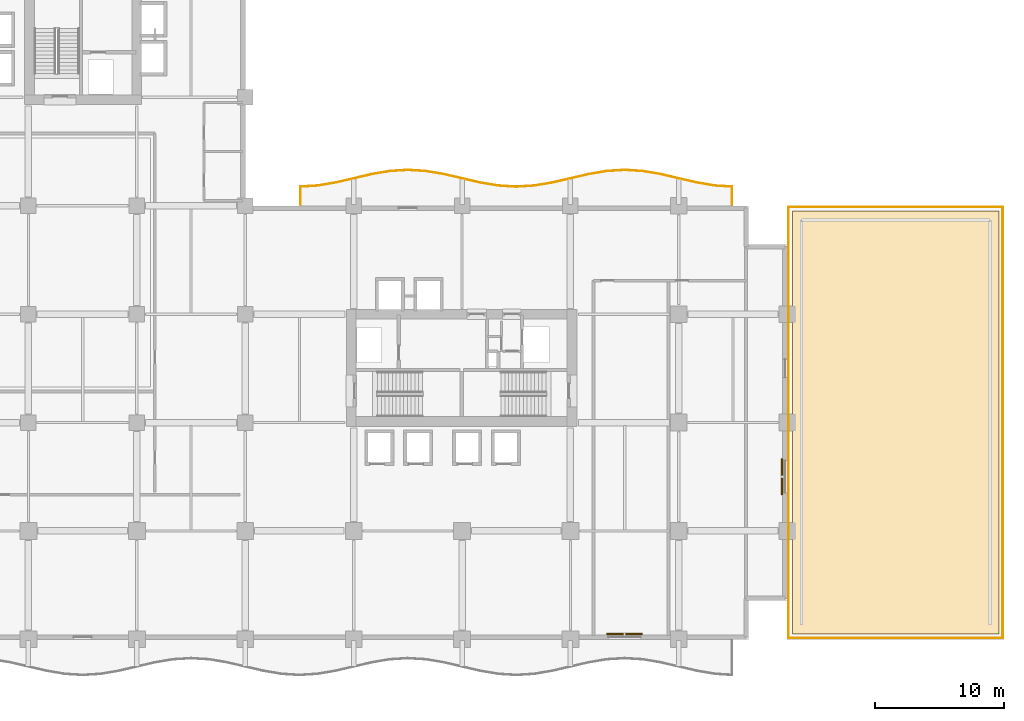
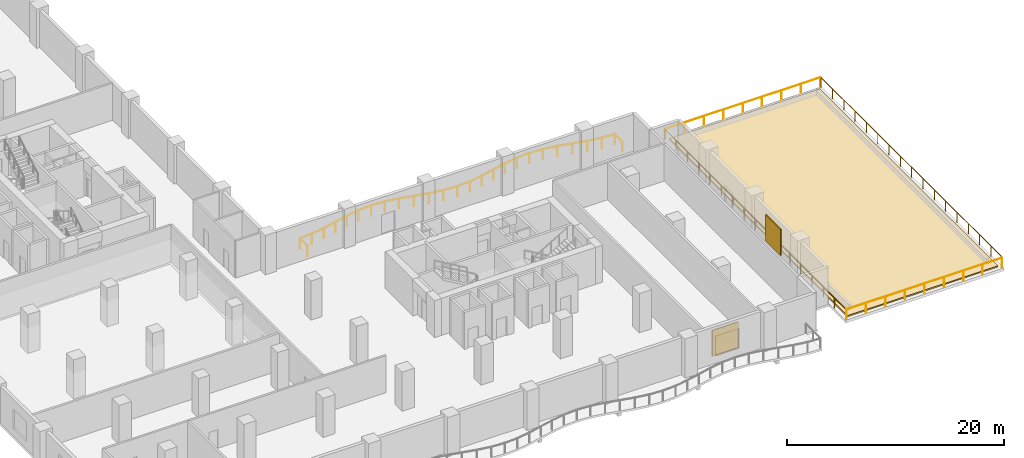
# One storey, part 20 of 21: 5 railings, 2 shading devices, 1 covering.
"""IFC4 building model written with IfcOpenShell, lengths in metres."""

from ifc_helpers import new_model, si_unit, direction, frame, origin, origin_2d, place, context, subcontext, project, spatial, polyline, rectangle, circle, outline, extrude, material, layer, layer_set, type_object, element, save


model = new_model("IFC4")

# Units and contexts
model_context = context("Model", 3, precision=1e-05, world=origin(), true_north=direction((0.0, 1.0)))
body_context = subcontext(model_context, "Body", "Model", "MODEL_VIEW")
ifc_project = project(units=[si_unit("LENGTHUNIT", "METRE"), si_unit("AREAUNIT", "SQUARE_METRE"), si_unit("VOLUMEUNIT", "CUBIC_METRE"), si_unit("PLANEANGLEUNIT", "RADIAN"), si_unit("MASSUNIT", "GRAM", prefix="KILO")], contexts=[model_context])

# Site, building, storey
site_placement = place(None, origin())
site = spatial("IfcSite", under=ifc_project, at=site_placement, CompositionType="ELEMENT")
building_placement = place(site_placement, origin())
building = spatial("IfcBuilding", under=site, at=building_placement, Name="Koriwani Terraces Tower", CompositionType="ELEMENT")
storey_placement = place(building_placement, frame((0.0, 0.0, 85.199951171875)))
storey = spatial("IfcBuildingStorey", under=building, at=storey_placement, Name="L20", CompositionType="ELEMENT", Elevation=85.199951171875)

# Railings
ifc_material_1 = material(Name="Steel ASTM A572 Grade 50", Category="steel")
railing_type = type_object("IfcRailingType", Name="GUARD_BALUSTRADE_1150", PredefinedType="BALUSTRADE", material=ifc_material_1)
railing_1_placement = place(storey_placement, frame((71.320068359375, 33.679931640625, 0.0)))
element("IfcRailing", 1, at=railing_1_placement, inside=storey, type_object=railing_type, Name="L20 Balcony Perimeter Safety Balustrade (NE)", PredefinedType="BALUSTRADE", context=body_context, shape_type="SweptSolid", body=[
    extrude(circle(Radius=0.02392578125, at=origin_2d()), frame((0.0, 0.0, 1.1259765625), z_axis=(0.0, 1.0, 0.0), x_axis=(-1.0, 0.0, 0.0)), (0.0, 0.0, 1.0), 1.394775390625),
    extrude(circle(Radius=0.02392578125, at=origin_2d()), frame((0.0, 1.394775390625, 1.1259765625), z_axis=(-0.998056142956, 0.062321228394, 0.0), x_axis=(-0.062321228394, -0.998056142956, 0.0)), (0.0, 0.0, 1.0), 1.33203125),
    extrude(circle(Radius=0.02392578125, at=origin_2d()), frame((-1.329345703125, 1.477783203125, 1.1259765625), z_axis=(-0.985894557597, 0.167367623213, 0.0), x_axis=(-0.167367623213, -0.985894557597, 0.0)), (0.0, 0.0, 1.0), 1.426513671875),
    extrude(circle(Radius=0.02392578125, at=origin_2d()), frame((-2.73583984375, 1.716552734375, 1.1259765625), z_axis=(-0.974105551615, 0.226093729043, 0.0), x_axis=(-0.226093729043, -0.974105551615, 0.0)), (0.0, 0.0, 1.0), 2.87451171875),
    extrude(circle(Radius=0.02392578125, at=origin_2d()), frame((-5.535888671875, 2.366455078125, 1.1259765625), z_axis=(-0.985861269125, 0.167563594016, 0.0), x_axis=(-0.167563594016, -0.985861269125, 0.0)), (0.0, 0.0, 1.0), 1.413330078125),
    extrude(circle(Radius=0.02392578125, at=origin_2d()), frame((-6.92919921875, 2.603271484375, 1.1259765625), z_axis=(-0.998064149781, 0.062192868733, 0.0), x_axis=(-0.062192868733, -0.998064149781, 0.0)), (0.0, 0.0, 1.0), 1.3935546875),
    extrude(circle(Radius=0.02392578125, at=origin_2d()), frame((-8.320068359375, 2.68994140625, 1.1259765625), z_axis=(-0.998064149781, -0.062192868733, 0.0), x_axis=(0.062192868733, -0.998064149781, 0.0)), (0.0, 0.0, 1.0), 1.3935546875),
    extrude(circle(Radius=0.02392578125, at=origin_2d()), frame((-9.7109375, 2.603271484375, 1.1259765625), z_axis=(-0.985861269125, -0.167563594016, 0.0), x_axis=(0.167563594016, -0.985861269125, 0.0)), (0.0, 0.0, 1.0), 1.413330078125),
    extrude(circle(Radius=0.02392578125, at=origin_2d()), frame((-11.104248046875, 2.366455078125, 1.1259765625), z_axis=(-0.974105551615, -0.226093729043, 0.0), x_axis=(0.226093729043, -0.974105551615, 0.0)), (0.0, 0.0, 1.0), 2.87451171875),
    extrude(circle(Radius=0.02392578125, at=origin_2d()), frame((-13.904296875, 1.716552734375, 1.1259765625), z_axis=(-0.985894557597, -0.167367623213, 0.0), x_axis=(0.167367623213, -0.985894557597, 0.0)), (0.0, 0.0, 1.0), 1.426513671875),
    extrude(circle(Radius=0.02392578125, at=origin_2d()), frame((-15.310791015625, 1.477783203125, 1.1259765625), z_axis=(-0.9980820707, -0.061904605217, 0.0), x_axis=(0.061904605217, -0.9980820707, 0.0)), (0.0, 0.0, 1.0), 1.411865234375),
    extrude(circle(Radius=0.02392578125, at=origin_2d()), frame((-16.719970703125, 1.390380859375, 1.1259765625), z_axis=(-0.9980820707, 0.061904605217, 0.0), x_axis=(-0.061904605217, -0.9980820707, 0.0)), (0.0, 0.0, 1.0), 1.411865234375),
    extrude(circle(Radius=0.02392578125, at=origin_2d()), frame((-18.129150390625, 1.477783203125, 1.1259765625), z_axis=(-0.985899350136, 0.16733938987, 0.0), x_axis=(-0.16733938987, -0.985899350136, 0.0)), (0.0, 0.0, 1.0), 1.4267578125),
    extrude(circle(Radius=0.02392578125, at=origin_2d()), frame((-19.535888671875, 1.716552734375, 1.1259765625), z_axis=(-0.974105551615, 0.226093729043, 0.0), x_axis=(-0.226093729043, -0.974105551615, 0.0)), (0.0, 0.0, 1.0), 2.87451171875),
    extrude(circle(Radius=0.02392578125, at=origin_2d()), frame((-22.3359375, 2.366455078125, 1.1259765625), z_axis=(-0.985861269125, 0.167563594016, 0.0), x_axis=(-0.167563594016, -0.985861269125, 0.0)), (0.0, 0.0, 1.0), 1.413330078125),
    extrude(circle(Radius=0.02392578125, at=origin_2d()), frame((-23.729248046875, 2.603271484375, 1.1259765625), z_axis=(-0.998064149781, 0.062192868733, 0.0), x_axis=(-0.062192868733, -0.998064149781, 0.0)), (0.0, 0.0, 1.0), 1.3935546875),
    extrude(circle(Radius=0.02392578125, at=origin_2d()), frame((-25.1201171875, 2.68994140625, 1.1259765625), z_axis=(-0.998064149781, -0.062192868733, 0.0), x_axis=(0.062192868733, -0.998064149781, 0.0)), (0.0, 0.0, 1.0), 1.3935546875),
    extrude(circle(Radius=0.02392578125, at=origin_2d()), frame((-26.510986328125, 2.603271484375, 1.1259765625), z_axis=(-0.985861269125, -0.167563594016, 0.0), x_axis=(0.167563594016, -0.985861269125, 0.0)), (0.0, 0.0, 1.0), 1.413330078125),
    extrude(circle(Radius=0.02392578125, at=origin_2d()), frame((-27.904296875, 2.366455078125, 1.1259765625), z_axis=(-0.974105551615, -0.226093729043, 0.0), x_axis=(0.226093729043, -0.974105551615, 0.0)), (0.0, 0.0, 1.0), 2.87451171875),
    extrude(circle(Radius=0.02392578125, at=origin_2d()), frame((-30.704345703125, 1.716552734375, 1.1259765625), z_axis=(-0.985894557597, -0.167367623213, 0.0), x_axis=(0.167367623213, -0.985894557597, 0.0)), (0.0, 0.0, 1.0), 1.426513671875),
    extrude(circle(Radius=0.02392578125, at=origin_2d()), frame((-32.11083984375, 1.477783203125, 1.1259765625), z_axis=(-0.998056142956, -0.062321228394, 0.0), x_axis=(0.062321228394, -0.998056142956, 0.0)), (0.0, 0.0, 1.0), 1.33203125),
    extrude(circle(Radius=0.02392578125, at=origin_2d()), frame((-33.440185546875, 1.394775390625, 1.1259765625), z_axis=(0.0, -1.0, 0.0), x_axis=(1.0, 0.0, 0.0)), (0.0, 0.0, 1.0), 1.394775390625),
    extrude(circle(Radius=0.02099609375, at=origin_2d()), origin(), (0.0, 0.0, 1.0), 1.101806640625),
    extrude(circle(Radius=0.02099609375, at=origin_2d()), frame((0.0, 1.394775390625, 0.0)), (0.0, 0.0, 1.0), 1.101806640625),
    extrude(circle(Radius=0.02099609375, at=origin_2d()), frame((-1.329345703125, 1.477783203125, 0.0)), (0.0, 0.0, 1.0), 1.101806640625),
    extrude(circle(Radius=0.02099609375, at=origin_2d()), frame((-2.73583984375, 1.716552734375, 0.0)), (0.0, 0.0, 1.0), 1.101806640625),
    extrude(circle(Radius=0.02099609375, at=origin_2d()), frame((-4.1357421875, 2.04150390625, 0.0)), (0.0, 0.0, 1.0), 1.101806640625),
    extrude(circle(Radius=0.02099609375, at=origin_2d()), frame((-5.535888671875, 2.366455078125, 0.0)), (0.0, 0.0, 1.0), 1.101806640625),
    extrude(circle(Radius=0.02099609375, at=origin_2d()), frame((-6.92919921875, 2.603271484375, 0.0)), (0.0, 0.0, 1.0), 1.101806640625),
    extrude(circle(Radius=0.02099609375, at=origin_2d()), frame((-8.320068359375, 2.68994140625, 0.0)), (0.0, 0.0, 1.0), 1.101806640625),
    extrude(circle(Radius=0.02099609375, at=origin_2d()), frame((-9.7109375, 2.603271484375, 0.0)), (0.0, 0.0, 1.0), 1.101806640625),
    extrude(circle(Radius=0.02099609375, at=origin_2d()), frame((-11.104248046875, 2.366455078125, 0.0)), (0.0, 0.0, 1.0), 1.101806640625),
    extrude(circle(Radius=0.02099609375, at=origin_2d()), frame((-12.50439453125, 2.04150390625, 0.0)), (0.0, 0.0, 1.0), 1.101806640625),
    extrude(circle(Radius=0.02099609375, at=origin_2d()), frame((-13.904296875, 1.716552734375, 0.0)), (0.0, 0.0, 1.0), 1.101806640625),
    extrude(circle(Radius=0.02099609375, at=origin_2d()), frame((-15.310791015625, 1.477783203125, 0.0)), (0.0, 0.0, 1.0), 1.101806640625),
    extrude(circle(Radius=0.02099609375, at=origin_2d()), frame((-16.719970703125, 1.390380859375, 0.0)), (0.0, 0.0, 1.0), 1.101806640625),
    extrude(circle(Radius=0.02099609375, at=origin_2d()), frame((-18.129150390625, 1.477783203125, 0.0)), (0.0, 0.0, 1.0), 1.101806640625),
    extrude(circle(Radius=0.02099609375, at=origin_2d()), frame((-19.535888671875, 1.716552734375, 0.0)), (0.0, 0.0, 1.0), 1.101806640625),
    extrude(circle(Radius=0.02099609375, at=origin_2d()), frame((-20.93603515625, 2.04150390625, 0.0)), (0.0, 0.0, 1.0), 1.101806640625),
    extrude(circle(Radius=0.02099609375, at=origin_2d()), frame((-22.3359375, 2.366455078125, 0.0)), (0.0, 0.0, 1.0), 1.101806640625),
    extrude(circle(Radius=0.02099609375, at=origin_2d()), frame((-23.729248046875, 2.603271484375, 0.0)), (0.0, 0.0, 1.0), 1.101806640625),
    extrude(circle(Radius=0.02099609375, at=origin_2d()), frame((-25.1201171875, 2.68994140625, 0.0)), (0.0, 0.0, 1.0), 1.101806640625),
    extrude(circle(Radius=0.02099609375, at=origin_2d()), frame((-26.510986328125, 2.603271484375, 0.0)), (0.0, 0.0, 1.0), 1.101806640625),
    extrude(circle(Radius=0.02099609375, at=origin_2d()), frame((-27.904296875, 2.366455078125, 0.0)), (0.0, 0.0, 1.0), 1.101806640625),
    extrude(circle(Radius=0.02099609375, at=origin_2d()), frame((-29.30419921875, 2.04150390625, 0.0)), (0.0, 0.0, 1.0), 1.101806640625),
    extrude(circle(Radius=0.02099609375, at=origin_2d()), frame((-30.704345703125, 1.716552734375, 0.0)), (0.0, 0.0, 1.0), 1.101806640625),
    extrude(circle(Radius=0.02099609375, at=origin_2d()), frame((-32.11083984375, 1.477783203125, 0.0)), (0.0, 0.0, 1.0), 1.101806640625),
    extrude(circle(Radius=0.02099609375, at=origin_2d()), frame((-33.440185546875, 1.394775390625, 0.0)), (0.0, 0.0, 1.0), 1.101806640625),
    extrude(circle(Radius=0.02099609375, at=origin_2d()), frame((-33.440185546875, 0.0, 0.0)), (0.0, 0.0, 1.0), 1.101806640625),
])
railing_2_placement = place(storey_placement, frame((75.699951171875, 0.135009765625, 0.0)))
element("IfcRailing", 2, at=railing_2_placement, inside=storey, type_object=railing_type, Name="L20 Setback Sky-Garden Terrace Balustrade Segment 1", PredefinedType="BALUSTRADE", context=body_context, shape_type="SweptSolid", body=[
    extrude(circle(Radius=0.02490234375, at=origin_2d()), frame((0.0, 0.0, 1.125), z_axis=(0.0, 1.0, 0.0), x_axis=(-1.0, 0.0, 0.0)), (0.0, 0.0, 1.0), 33.330078125),
    extrude(circle(Radius=0.0224609375, at=origin_2d()), origin(), (0.0, 0.0, 1.0), 1.099853515625),
    extrude(circle(Radius=0.0224609375, at=origin_2d()), frame((0.0, 2.0830078125, 0.0)), (0.0, 0.0, 1.0), 1.099853515625),
    extrude(circle(Radius=0.0224609375, at=origin_2d()), frame((0.0, 4.166259765625, 0.0)), (0.0, 0.0, 1.0), 1.099853515625),
    extrude(circle(Radius=0.0224609375, at=origin_2d()), frame((0.0, 6.24951171875, 0.0)), (0.0, 0.0, 1.0), 1.099853515625),
    extrude(circle(Radius=0.0224609375, at=origin_2d()), frame((0.0, 8.33251953125, 0.0)), (0.0, 0.0, 1.0), 1.099853515625),
    extrude(circle(Radius=0.0224609375, at=origin_2d()), frame((0.0, 10.41552734375, 0.0)), (0.0, 0.0, 1.0), 1.099853515625),
    extrude(circle(Radius=0.0224609375, at=origin_2d()), frame((0.0, 12.498779296875, 0.0)), (0.0, 0.0, 1.0), 1.099853515625),
    extrude(circle(Radius=0.0224609375, at=origin_2d()), frame((0.0, 14.58203125, 0.0)), (0.0, 0.0, 1.0), 1.099853515625),
    extrude(circle(Radius=0.0224609375, at=origin_2d()), frame((0.0, 16.6650390625, 0.0)), (0.0, 0.0, 1.0), 1.099853515625),
    extrude(circle(Radius=0.0224609375, at=origin_2d()), frame((0.0, 18.748046875, 0.0)), (0.0, 0.0, 1.0), 1.099853515625),
    extrude(circle(Radius=0.0224609375, at=origin_2d()), frame((0.0, 20.831298828125, 0.0)), (0.0, 0.0, 1.0), 1.099853515625),
    extrude(circle(Radius=0.0224609375, at=origin_2d()), frame((0.0, 22.91455078125, 0.0)), (0.0, 0.0, 1.0), 1.099853515625),
    extrude(circle(Radius=0.0224609375, at=origin_2d()), frame((0.0, 24.99755859375, 0.0)), (0.0, 0.0, 1.0), 1.099853515625),
    extrude(circle(Radius=0.0224609375, at=origin_2d()), frame((0.0, 27.08056640625, 0.0)), (0.0, 0.0, 1.0), 1.099853515625),
    extrude(circle(Radius=0.0224609375, at=origin_2d()), frame((0.0, 29.163818359375, 0.0)), (0.0, 0.0, 1.0), 1.099853515625),
    extrude(circle(Radius=0.0224609375, at=origin_2d()), frame((0.0, 31.2470703125, 0.0)), (0.0, 0.0, 1.0), 1.099853515625),
    extrude(circle(Radius=0.0224609375, at=origin_2d()), frame((0.0, 33.330078125, 0.0)), (0.0, 0.0, 1.0), 1.099853515625),
])
railing_3_placement = place(storey_placement, frame((75.735107421875, 33.5, 0.0)))
element("IfcRailing", 3, at=railing_3_placement, inside=storey, type_object=railing_type, Name="L20 Setback Sky-Garden Terrace Balustrade Segment 2", PredefinedType="BALUSTRADE", context=body_context, shape_type="SweptSolid", body=[
    extrude(circle(Radius=0.02490234375, at=origin_2d()), frame((0.0, 0.0, 1.125), z_axis=(1.0, 0.0, 0.0), x_axis=(0.0, 1.0, 0.0)), (0.0, 0.0, 1.0), 16.52978515625),
    extrude(circle(Radius=0.0224609375, at=origin_2d()), origin(), (0.0, 0.0, 1.0), 1.099853515625),
    extrude(circle(Radius=0.0224609375, at=origin_2d()), frame((2.066162109375, 0.0, 0.0)), (0.0, 0.0, 1.0), 1.099853515625),
    extrude(circle(Radius=0.0224609375, at=origin_2d()), frame((4.13232421875, 0.0, 0.0)), (0.0, 0.0, 1.0), 1.099853515625),
    extrude(circle(Radius=0.0224609375, at=origin_2d()), frame((6.19873046875, 0.0, 0.0)), (0.0, 0.0, 1.0), 1.099853515625),
    extrude(circle(Radius=0.0224609375, at=origin_2d()), frame((8.264892578125, 0.0, 0.0)), (0.0, 0.0, 1.0), 1.099853515625),
    extrude(circle(Radius=0.0224609375, at=origin_2d()), frame((10.3310546875, 0.0, 0.0)), (0.0, 0.0, 1.0), 1.099853515625),
    extrude(circle(Radius=0.0224609375, at=origin_2d()), frame((12.3974609375, 0.0, 0.0)), (0.0, 0.0, 1.0), 1.099853515625),
    extrude(circle(Radius=0.0224609375, at=origin_2d()), frame((14.463623046875, 0.0, 0.0)), (0.0, 0.0, 1.0), 1.099853515625),
    extrude(circle(Radius=0.0224609375, at=origin_2d()), frame((16.52978515625, 0.0, 0.0)), (0.0, 0.0, 1.0), 1.099853515625),
])
railing_4_placement = place(storey_placement, frame((92.300048828125, 33.465087890625, 0.0)))
element("IfcRailing", 4, at=railing_4_placement, inside=storey, type_object=railing_type, Name="L20 Setback Sky-Garden Terrace Balustrade Segment 3", PredefinedType="BALUSTRADE", context=body_context, shape_type="SweptSolid", body=[
    extrude(circle(Radius=0.02490234375, at=origin_2d()), frame((0.0, 0.0, 1.125), z_axis=(0.0, -1.0, 0.0), x_axis=(1.0, 0.0, 0.0)), (0.0, 0.0, 1.0), 33.330078125),
    extrude(circle(Radius=0.0224609375, at=origin_2d()), origin(), (0.0, 0.0, 1.0), 1.099853515625),
    extrude(circle(Radius=0.0224609375, at=origin_2d()), frame((0.0, -2.0830078125, 0.0)), (0.0, 0.0, 1.0), 1.099853515625),
    extrude(circle(Radius=0.0224609375, at=origin_2d()), frame((0.0, -4.166259765625, 0.0)), (0.0, 0.0, 1.0), 1.099853515625),
    extrude(circle(Radius=0.0224609375, at=origin_2d()), frame((0.0, -6.24951171875, 0.0)), (0.0, 0.0, 1.0), 1.099853515625),
    extrude(circle(Radius=0.0224609375, at=origin_2d()), frame((0.0, -8.33251953125, 0.0)), (0.0, 0.0, 1.0), 1.099853515625),
    extrude(circle(Radius=0.0224609375, at=origin_2d()), frame((0.0, -10.41552734375, 0.0)), (0.0, 0.0, 1.0), 1.099853515625),
    extrude(circle(Radius=0.0224609375, at=origin_2d()), frame((0.0, -12.498779296875, 0.0)), (0.0, 0.0, 1.0), 1.099853515625),
    extrude(circle(Radius=0.0224609375, at=origin_2d()), frame((0.0, -14.58203125, 0.0)), (0.0, 0.0, 1.0), 1.099853515625),
    extrude(circle(Radius=0.0224609375, at=origin_2d()), frame((0.0, -16.6650390625, 0.0)), (0.0, 0.0, 1.0), 1.099853515625),
    extrude(circle(Radius=0.0224609375, at=origin_2d()), frame((0.0, -18.748046875, 0.0)), (0.0, 0.0, 1.0), 1.099853515625),
    extrude(circle(Radius=0.0224609375, at=origin_2d()), frame((0.0, -20.831298828125, 0.0)), (0.0, 0.0, 1.0), 1.099853515625),
    extrude(circle(Radius=0.0224609375, at=origin_2d()), frame((0.0, -22.91455078125, 0.0)), (0.0, 0.0, 1.0), 1.099853515625),
    extrude(circle(Radius=0.0224609375, at=origin_2d()), frame((0.0, -24.99755859375, 0.0)), (0.0, 0.0, 1.0), 1.099853515625),
    extrude(circle(Radius=0.0224609375, at=origin_2d()), frame((0.0, -27.08056640625, 0.0)), (0.0, 0.0, 1.0), 1.099853515625),
    extrude(circle(Radius=0.0224609375, at=origin_2d()), frame((0.0, -29.163818359375, 0.0)), (0.0, 0.0, 1.0), 1.099853515625),
    extrude(circle(Radius=0.0224609375, at=origin_2d()), frame((0.0, -31.2470703125, 0.0)), (0.0, 0.0, 1.0), 1.099853515625),
    extrude(circle(Radius=0.0224609375, at=origin_2d()), frame((0.0, -33.330078125, 0.0)), (0.0, 0.0, 1.0), 1.099853515625),
])
railing_5_placement = place(storey_placement, frame((92.264892578125, 0.10009765625, 0.0)))
element("IfcRailing", 5, at=railing_5_placement, inside=storey, type_object=railing_type, Name="L20 Setback Sky-Garden Terrace Balustrade Segment 4", PredefinedType="BALUSTRADE", context=body_context, shape_type="SweptSolid", body=[
    extrude(circle(Radius=0.02490234375, at=origin_2d()), frame((0.0, 0.0, 1.125), z_axis=(-1.0, 0.0, 0.0), x_axis=(0.0, -1.0, 0.0)), (0.0, 0.0, 1.0), 16.52978515625),
    extrude(circle(Radius=0.0224609375, at=origin_2d()), origin(), (0.0, 0.0, 1.0), 1.099853515625),
    extrude(circle(Radius=0.0224609375, at=origin_2d()), frame((-2.066162109375, 0.0, 0.0)), (0.0, 0.0, 1.0), 1.099853515625),
    extrude(circle(Radius=0.0224609375, at=origin_2d()), frame((-4.13232421875, 0.0, 0.0)), (0.0, 0.0, 1.0), 1.099853515625),
    extrude(circle(Radius=0.0224609375, at=origin_2d()), frame((-6.19873046875, 0.0, 0.0)), (0.0, 0.0, 1.0), 1.099853515625),
    extrude(circle(Radius=0.0224609375, at=origin_2d()), frame((-8.264892578125, 0.0, 0.0)), (0.0, 0.0, 1.0), 1.099853515625),
    extrude(circle(Radius=0.0224609375, at=origin_2d()), frame((-10.3310546875, 0.0, 0.0)), (0.0, 0.0, 1.0), 1.099853515625),
    extrude(circle(Radius=0.0224609375, at=origin_2d()), frame((-12.3974609375, 0.0, 0.0)), (0.0, 0.0, 1.0), 1.099853515625),
    extrude(circle(Radius=0.0224609375, at=origin_2d()), frame((-14.463623046875, 0.0, 0.0)), (0.0, 0.0, 1.0), 1.099853515625),
    extrude(circle(Radius=0.0224609375, at=origin_2d()), frame((-16.52978515625, 0.0, 0.0)), (0.0, 0.0, 1.0), 1.099853515625),
])

# Covering
ifc_material_2 = material(Name="Insulated Modified Bitumen Roofing", Category="masonry")
ifc_layer_1 = layer(ifc_material_2, 0.139892578125, Name="Insulated Modified Bitumen Roofing")
ifc_layer_set_1 = layer_set([ifc_layer_1], Name="Insulated Modified Bitumen Roofing")
covering_type = type_object("IfcCoveringType", Name="ROOFING_MEMBRANE_INSUL", PredefinedType="ROOFING", material=ifc_layer_set_1)
covering_placement = place(storey_placement, origin())
element("IfcCovering", 6, at=covering_placement, inside=storey, type_object=covering_type, Name="L20 Sky-Garden Terrace Waterproofing & Planted Media", PredefinedType="ROOFING", context=body_context, shape_type="SweptSolid", body=[
    extrude(outline(polyline([(76.0, 0.39990234375), (76.0, 33.199951171875), (92.0, 33.199951171875), (92.0, 0.39990234375), (76.0, 0.39990234375)])), origin(), (0.0, 0.0, 1.0), 0.14013671875),
])

# Shading devices
ifc_material_3 = material(Name="Extruded Terracotta Clay", Category="masonry")
ifc_layer_2 = layer(ifc_material_3, 0.1201171875, Name="Extruded Terracotta Clay")
ifc_layer_set_2 = layer_set([ifc_layer_2], Name="Extruded Terracotta Clay")
shading_device_type = type_object("IfcShadingDeviceType", Name="TERRACOTTA_BAGUETTE_SCREEN_2800", PredefinedType="USERDEFINED", material=ifc_layer_set_2)
for number, where, z_axis, x_axis, name in (
    (7, (75.195068359375, 12.60009765625, 0.625), (0.0, 0.0, 1.0), (0.0, -1.0, 0.0), "L20 Extruded Terracotta Baguette Screen (E_TIP-3)"),
    (8, (63.0, 0.405029296875, 0.625), (0.0, 0.0, 1.0), (-1.0, 0.0, 0.0), "L20 Extruded Terracotta Baguette Screen (S-21)"),
):
    element("IfcShadingDevice", number, at=place(storey_placement, frame(where, z_axis=z_axis, x_axis=x_axis)), inside=storey, type_object=shading_device_type, Name=name, ObjectType="BAGUETTE", PredefinedType="USERDEFINED", context=body_context, shape_type="SweptSolid", body=[
        extrude(rectangle(XDim=2.760009765625, YDim=0.1201171875, at=origin_2d()), origin(), (0.0, 0.0, 1.0), 2.89990234375),
    ])

save(model, "model.ifc")
